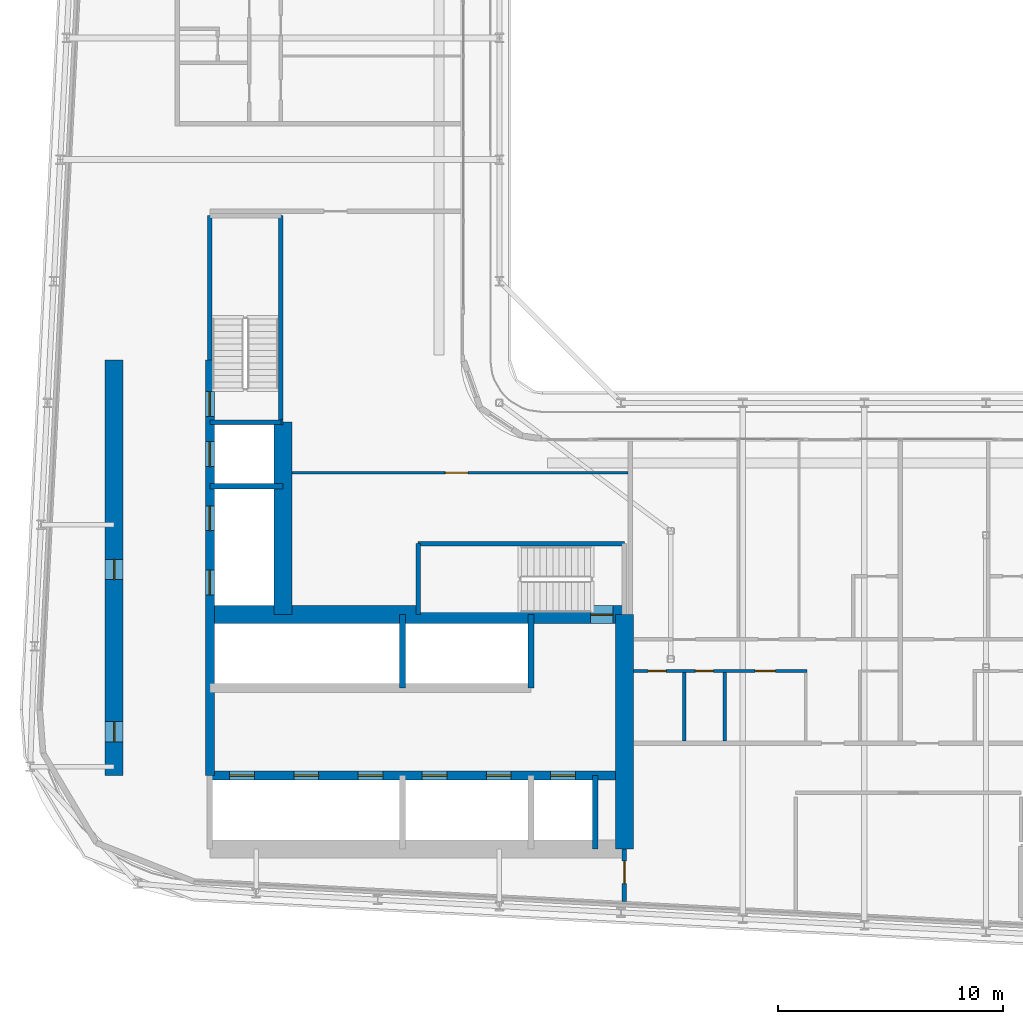
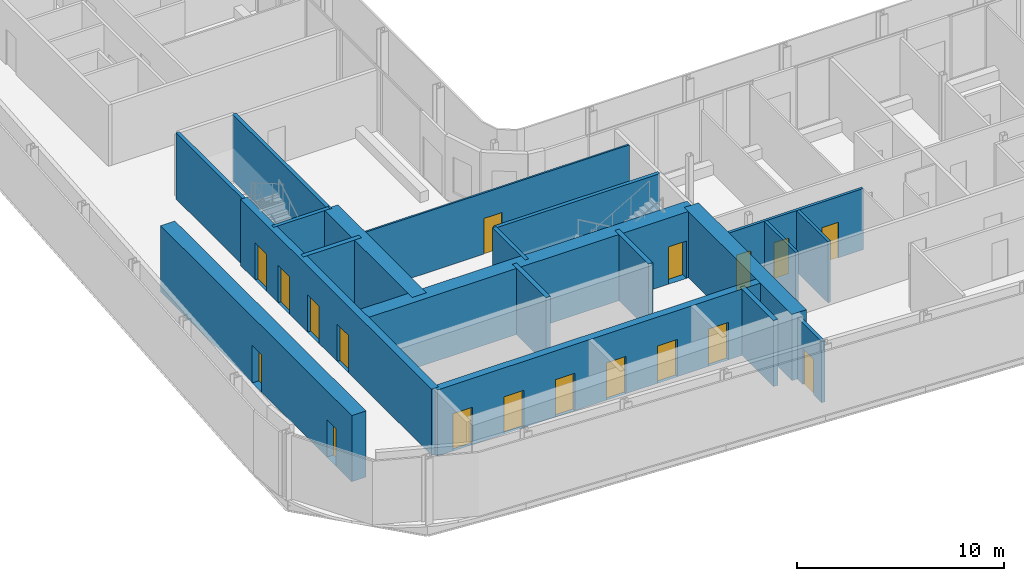
# One storey, part 14 of 28: 21 walls, 18 doors, 18 openings.
"""IFC4 building model written with IfcOpenShell, lengths in metres."""

import ifcopenshell
import ifcopenshell.guid

model = None  # the IFC model being written
_history = None  # IfcOwnerHistory: only IFC2X3 demands one
_inside = {}  # id of a spatial element -> (the spatial element, [elements in it])
_under = {}  # id of a project, library or spatial element -> (it, [spatial elements below it])
_declared = {}  # id of a project -> (the project, [libraries it declares])
_typed = {}  # id of a type object -> (the type object, [elements of that type])
_made_of = {}  # id of a material, layer set ... -> (it, [elements and type objects made of it])


def new_model(schema):
    """Start an empty IFC model of exactly this schema.

    Asked for "IFC4X3", IfcOpenShell would pick the latest addendum, in which some entities
    have other attributes; the version numbers below select the first issue.
    IFC2X3 requires an IfcOwnerHistory on every rooted entity: one is made here for all.
    """
    global model, _history
    if schema == "IFC4X3":
        model = ifcopenshell.file(schema_version=(4, 3, 0, 0))
    else:
        model = ifcopenshell.file(schema=schema)
    _inside.clear()
    _under.clear()
    _declared.clear()
    _typed.clear()
    _made_of.clear()
    _history = None
    if model.schema == "IFC2X3":
        org = make("IfcOrganization", Name="unknown")
        user = make(
            "IfcPersonAndOrganization",
            ThePerson=make("IfcPerson", FamilyName="unknown"),
            TheOrganization=org,
        )
        app = make(
            "IfcApplication",
            ApplicationDeveloper=org,
            Version="unknown",
            ApplicationFullName="unknown",
            ApplicationIdentifier="unknown",
        )
        _history = make(
            "IfcOwnerHistory",
            OwningUser=user,
            OwningApplication=app,
            ChangeAction="ADDED",
            CreationDate=0,
        )
    return model


def make(cls, **values):
    """One entity of the class cls with the attributes given. An attribute that is None is left unset."""
    return model.create_entity(
        cls, **{name: value for name, value in values.items() if value is not None}
    )


def rooted(cls, **values):
    """An entity with a GlobalId (a new one), such as an element, a storey or a relation."""
    return make(cls, GlobalId=ifcopenshell.guid.new(), OwnerHistory=_history, **values)


def si_unit(unit_type, name, prefix=None):
    """IfcSIUnit, for example si_unit("LENGTHUNIT", "METRE", prefix="MILLI")."""
    return make("IfcSIUnit", UnitType=unit_type, Prefix=prefix, Name=name)


def assignment(units):
    """IfcUnitAssignment: the units of a project."""
    return None if units is None else make("IfcUnitAssignment", Units=units)


def point(xyz):
    """IfcCartesianPoint."""
    return None if xyz is None else make("IfcCartesianPoint", Coordinates=xyz)


def direction(xyz):
    """IfcDirection."""
    return None if xyz is None else make("IfcDirection", DirectionRatios=xyz)


def frame(location, z_axis=None, x_axis=None):
    """IfcAxis2Placement3D, a coordinate frame: its origin and axes. An axis left out is left unset."""
    return make(
        "IfcAxis2Placement3D",
        Location=point(location),
        Axis=direction(z_axis),
        RefDirection=direction(x_axis),
    )


def frame_2d(location, x_axis=None):
    """IfcAxis2Placement2D, a coordinate frame in the plane: its origin and x axis."""
    return make(
        "IfcAxis2Placement2D", Location=point(location), RefDirection=direction(x_axis)
    )


def origin():
    """The frame at (0, 0, 0) with its axes left unset."""
    return frame((0.0, 0.0, 0.0))


def place(relative_to, where):
    """IfcLocalPlacement: puts the frame where relative to a parent placement (None: the world)."""
    return make(
        "IfcLocalPlacement", PlacementRelTo=relative_to, RelativePlacement=where
    )


def context(
    kind, dimensions, precision=None, world=None, true_north=None, identifier=None
):
    """IfcGeometricRepresentationContext, for example the 3D "Model" context."""
    return make(
        "IfcGeometricRepresentationContext",
        ContextIdentifier=identifier,
        ContextType=kind,
        CoordinateSpaceDimension=dimensions,
        Precision=precision,
        WorldCoordinateSystem=world,
        TrueNorth=true_north,
    )


def subcontext(parent, identifier, kind, view, scale=None):
    """IfcGeometricRepresentationSubContext, for example "Body" below "Model"."""
    return make(
        "IfcGeometricRepresentationSubContext",
        ContextIdentifier=identifier,
        ContextType=kind,
        ParentContext=parent,
        TargetScale=scale,
        TargetView=view,
    )


def project(units=None, contexts=None):
    """IfcProject with its units and contexts."""
    return rooted(
        "IfcProject",
        Name="project",
        RepresentationContexts=contexts,
        UnitsInContext=assignment(units),
    )


def spatial(cls, under=None, at=None, **own):
    """A site, building, storey or space (cls), placed at a placement, below another one or the project."""
    s = rooted(cls, ObjectPlacement=at, **own)
    if under is not None:
        _under.setdefault(under.id(), (under, []))[1].append(s)
    return s


def profile(cls, at=None, kind="AREA", **sizes):
    """A parametric profile (cls). Its sizes go by their IFC names, for example OverallWidth=200.0."""
    return make(cls, ProfileType=kind, Position=at, **sizes)


def rectangle(**sizes):
    """IfcRectangleProfileDef."""
    return profile("IfcRectangleProfileDef", **sizes)


def extrude(swept, where, along, depth):
    """IfcExtrudedAreaSolid: the profile swept, set in the frame where, extruded along a direction by depth."""
    return make(
        "IfcExtrudedAreaSolid",
        SweptArea=swept,
        Position=where,
        ExtrudedDirection=direction(along),
        Depth=depth,
    )


def shape(context_of_items, identifier, shape_type, items):
    """IfcShapeRepresentation: the items that make up one representation, for example the "Body"."""
    return make(
        "IfcShapeRepresentation",
        ContextOfItems=context_of_items,
        RepresentationIdentifier=identifier,
        RepresentationType=shape_type,
        Items=items,
    )


def source(mapping_origin, context_of_items, identifier, shape_type, items):
    """IfcRepresentationMap: a shape defined once, which mapped items show again and again."""
    return make(
        "IfcRepresentationMap",
        MappingOrigin=mapping_origin,
        MappedRepresentation=shape(context_of_items, identifier, shape_type, items),
    )


def transform(
    local_origin,
    x_axis=None,
    y_axis=None,
    z_axis=None,
    scale=None,
    scale2=None,
    scale3=None,
    uniform=True,
):
    """IfcCartesianTransformationOperator3D, or its non-uniform kind. x_axis, y_axis, z_axis: its Axis1, 2, 3."""
    if uniform:
        return make(
            "IfcCartesianTransformationOperator3D",
            Axis1=direction(x_axis),
            Axis2=direction(y_axis),
            LocalOrigin=point(local_origin),
            Scale=scale,
            Axis3=direction(z_axis),
        )
    return make(
        "IfcCartesianTransformationOperator3DnonUniform",
        Axis1=direction(x_axis),
        Axis2=direction(y_axis),
        LocalOrigin=point(local_origin),
        Scale=scale,
        Axis3=direction(z_axis),
        Scale2=scale2,
        Scale3=scale3,
    )


def mapped(mapping_source, mapping_target):
    """IfcMappedItem: shows the shape of a source again, moved by a transform."""
    return make(
        "IfcMappedItem", MappingSource=mapping_source, MappingTarget=mapping_target
    )


def material(Name=None, Category=None):
    """IfcMaterial."""
    return make("IfcMaterial", Name=Name, Category=Category)


def layer(
    of_material, thickness, ventilated=None, Name=None, Category=None, Priority=None
):
    """IfcMaterialLayer: one layer of a wall or slab, of a material (None: an air gap)."""
    return make(
        "IfcMaterialLayer",
        Material=of_material,
        LayerThickness=thickness,
        IsVentilated=ventilated,
        Name=Name,
        Category=Category,
        Priority=Priority,
    )


def layer_set(layers, Name=None):
    """IfcMaterialLayerSet."""
    return make("IfcMaterialLayerSet", MaterialLayers=layers, LayerSetName=Name)


def made_of(thing, what):
    """Note that an element or type object is made of a material, layer set ...; save() writes the relation."""
    if what is not None:
        _made_of.setdefault(what.id(), (what, []))[1].append(thing)
    return thing


def type_object(cls, material=None, **own):
    """A type object (cls), such as IfcWallType, which elements share."""
    return made_of(rooted(cls, **own), material)


def element(
    cls,
    number,
    at=None,
    inside=None,
    cuts=None,
    type_object=None,
    material=None,
    context=None,
    identifier="Body",
    shape_type=None,
    held_by="IfcProductDefinitionShape",
    body=None,
    shapes=None,
    **own,
):
    """One element of the class cls, such as IfcWall. Its Tag is "e" and its number.

    at: its placement. inside: the storey or other place that contains it. cuts: it is an
    opening in that element (IfcRelVoidsElement). A single representation is given by context,
    identifier, shape_type and body (its items); several are given by shapes. held_by: the class
    of the entity that holds the representations. save() writes the other relations.
    """
    e = rooted(cls, Tag="e%d" % number, ObjectPlacement=at, **own)
    if body is not None:
        shapes = [shape(context, identifier, shape_type, body)]
    if shapes is not None:
        e.Representation = make(held_by, Representations=shapes)
    if inside is not None:
        _inside.setdefault(inside.id(), (inside, []))[1].append(e)
    if cuts is not None:
        rooted(
            "IfcRelVoidsElement", RelatingBuildingElement=cuts, RelatedOpeningElement=e
        )
    if type_object is not None:
        _typed.setdefault(type_object.id(), (type_object, []))[1].append(e)
    return made_of(e, material)


def fill(opening, filler):
    """IfcRelFillsElement: the door or window that sits in an opening."""
    return rooted(
        "IfcRelFillsElement",
        RelatingOpeningElement=opening,
        RelatedBuildingElement=filler,
    )


def aggregate(whole, parts):
    """IfcRelAggregates: a whole, such as a stair, and the parts it consists of."""
    return rooted("IfcRelAggregates", RelatingObject=whole, RelatedObjects=parts)


def save(model, path):
    """Write the relations noted so far, then the file.

    IfcRelAggregates (storeys below a building ...), IfcRelContainedInSpatialStructure (elements
    in a storey), IfcRelDefinesByType, IfcRelAssociatesMaterial and IfcRelDeclares: one each for
    every whole, place, type object, material and project.
    """
    for whole, parts in _under.values():
        aggregate(whole, parts)
    for where, things in _inside.values():
        rooted(
            "IfcRelContainedInSpatialStructure",
            RelatedElements=things,
            RelatingStructure=where,
        )
    for kind, things in _typed.values():
        rooted("IfcRelDefinesByType", RelatedObjects=things, RelatingType=kind)
    for what, things in _made_of.values():
        rooted("IfcRelAssociatesMaterial", RelatedObjects=things, RelatingMaterial=what)
    for by, libraries in _declared.values():
        rooted("IfcRelDeclares", RelatingContext=by, RelatedDefinitions=libraries)
    model.write(path)


model = new_model("IFC4")

# Units and contexts
model_context = context("Model", 3, precision=1e-05, world=origin(), true_north=direction((0.0, 1.0)))
body_context = subcontext(model_context, "Body", "Model", "MODEL_VIEW")
ifc_project = project(units=[si_unit("LENGTHUNIT", "METRE"), si_unit("AREAUNIT", "SQUARE_METRE"), si_unit("VOLUMEUNIT", "CUBIC_METRE"), si_unit("PLANEANGLEUNIT", "RADIAN"), si_unit("MASSUNIT", "GRAM", prefix="KILO")], contexts=[model_context])

# Site, building, storey
site_placement = place(None, origin())
site = spatial("IfcSite", under=ifc_project, at=site_placement, CompositionType="ELEMENT")
building_placement = place(site_placement, origin())
building = spatial("IfcBuilding", under=site, at=building_placement, Name="Kheshtan School and Residences Tower", CompositionType="ELEMENT")
storey_placement = place(building_placement, frame((0.0, 0.0, 191.60009765625)))
storey = spatial("IfcBuildingStorey", under=building, at=storey_placement, Name="L45", CompositionType="ELEMENT", Elevation=191.60009765625)

# Wall, openings, doors
ifc_material_1 = material(Name="Concrete C50/60", Category="concrete")
ifc_layer_1 = layer(ifc_material_1, 0.39990234375)
ifc_layer_set_1 = layer_set([ifc_layer_1], Name="Core wall 400 Concrete C50/60")
wall_type_1 = type_object("IfcWallType", Name="Core wall 400 Concrete C50/60", PredefinedType="SHEAR", material=ifc_layer_set_1)
wall_1_placement = place(storey_placement, frame((34.75, 29.050048828125, 0.0), z_axis=(0.0, 0.0, 1.0), x_axis=(1.0, 0.0, 0.0)))
wall_1 = element("IfcWall", 1, at=wall_1_placement, inside=storey, type_object=wall_type_1, Name="Core wall CW-HALL-S1", PredefinedType="SHEAR", context=body_context, shape_type="SweptSolid", body=[
    extrude(rectangle(XDim=18.39990234375, YDim=0.39990234375, at=frame_2d((9.199951171875, 0.0))), origin(), (0.0, 0.0, 1.0), 3.89990234375),
])
opening_1_placement = place(wall_1_placement, frame((0.875, 0.0, 0.0)))
opening_1 = element("IfcOpeningElement", 2, at=opening_1_placement, cuts=wall_1, Name="Opening LD", PredefinedType="OPENING", context=body_context, shape_type="SweptSolid", body=[
    extrude(rectangle(XDim=1.10009765625, YDim=2.199951171875, at=frame_2d((0.550048828125, 1.10009765625))), frame((0.0, 0.2099609375, 0.0), z_axis=(0.0, -1.0, 0.0), x_axis=(1.0, 0.0, 0.0)), (0.0, 0.0, 1.0), 0.419921875),
])
opening_2_placement = place(wall_1_placement, frame((3.72509765625, 0.0, 0.0)))
opening_2 = element("IfcOpeningElement", 3, at=opening_2_placement, cuts=wall_1, Name="Opening LD", PredefinedType="OPENING", context=body_context, shape_type="SweptSolid", body=[
    extrude(rectangle(XDim=1.10009765625, YDim=2.199951171875, at=frame_2d((0.550048828125, 1.10009765625))), frame((0.0, 0.2099609375, 0.0), z_axis=(0.0, -1.0, 0.0), x_axis=(1.0, 0.0, 0.0)), (0.0, 0.0, 1.0), 0.419921875),
])
opening_3_placement = place(wall_1_placement, frame((6.574951171875, 0.0, 0.0)))
opening_3 = element("IfcOpeningElement", 4, at=opening_3_placement, cuts=wall_1, Name="Opening LD", PredefinedType="OPENING", context=body_context, shape_type="SweptSolid", body=[
    extrude(rectangle(XDim=1.10009765625, YDim=2.199951171875, at=frame_2d((0.550048828125, 1.10009765625))), frame((0.0, 0.2099609375, 0.0), z_axis=(0.0, -1.0, 0.0), x_axis=(1.0, 0.0, 0.0)), (0.0, 0.0, 1.0), 0.419921875),
])
opening_4_placement = place(wall_1_placement, frame((9.425048828125, 0.0, 0.0)))
opening_4 = element("IfcOpeningElement", 5, at=opening_4_placement, cuts=wall_1, Name="Opening LD", PredefinedType="OPENING", context=body_context, shape_type="SweptSolid", body=[
    extrude(rectangle(XDim=1.10009765625, YDim=2.199951171875, at=frame_2d((0.550048828125, 1.10009765625))), frame((0.0, 0.2099609375, 0.0), z_axis=(0.0, -1.0, 0.0), x_axis=(1.0, 0.0, 0.0)), (0.0, 0.0, 1.0), 0.419921875),
])
opening_5_placement = place(wall_1_placement, frame((12.27490234375, 0.0, 0.0)))
opening_5 = element("IfcOpeningElement", 6, at=opening_5_placement, cuts=wall_1, Name="Opening LD", PredefinedType="OPENING", context=body_context, shape_type="SweptSolid", body=[
    extrude(rectangle(XDim=1.10009765625, YDim=2.199951171875, at=frame_2d((0.550048828125, 1.10009765625))), frame((0.0, 0.2099609375, 0.0), z_axis=(0.0, -1.0, 0.0), x_axis=(1.0, 0.0, 0.0)), (0.0, 0.0, 1.0), 0.419921875),
])
opening_6_placement = place(wall_1_placement, frame((15.125, 0.0, 0.0)))
opening_6 = element("IfcOpeningElement", 7, at=opening_6_placement, cuts=wall_1, Name="Opening LD", PredefinedType="OPENING", context=body_context, shape_type="SweptSolid", body=[
    extrude(rectangle(XDim=1.10009765625, YDim=2.199951171875, at=frame_2d((0.550048828125, 1.10009765625))), frame((0.0, 0.2099609375, 0.0), z_axis=(0.0, -1.0, 0.0), x_axis=(1.0, 0.0, 0.0)), (0.0, 0.0, 1.0), 0.419921875),
])
ifc_material_2 = material(Name="Stainless steel door leaves", Category="steel")
door_type_1 = type_object("IfcDoorType", Name="Lift landing door 1100", OperationType="SLIDING_TO_LEFT", PredefinedType="DOOR", material=ifc_material_2)
shared_shape_1 = source(origin(), body_context, "Body", "SweptSolid", [
    extrude(rectangle(XDim=1.10009765625, YDim=2.199951171875, at=frame_2d((0.550048828125, 1.10009765625))), frame((0.0, 0.02490234375, 0.0), z_axis=(0.0, -1.0, 0.0), x_axis=(1.0, 0.0, 0.0)), (0.0, 0.0, 1.0), 0.050048828125),
])
door_1_placement = place(opening_1_placement, origin())
door_1 = element("IfcDoor", 8, at=door_1_placement, inside=storey, type_object=door_type_1, Name="Lift P7 landing door", OperationType="SLIDING_TO_LEFT", OverallHeight=2.199951171875, OverallWidth=1.10009765625, PredefinedType="DOOR", context=body_context, shape_type="MappedRepresentation", body=[
    mapped(shared_shape_1, transform((0.0, 0.0, 0.0), x_axis=(1.0, 0.0, 0.0), y_axis=(0.0, 1.0, 0.0), z_axis=(0.0, 0.0, 1.0), scale=1.0)),
])
fill(opening_1, door_1)
door_2_placement = place(opening_2_placement, origin())
door_2 = element("IfcDoor", 9, at=door_2_placement, inside=storey, type_object=door_type_1, Name="Lift P8 landing door", OperationType="SLIDING_TO_LEFT", OverallHeight=2.199951171875, OverallWidth=1.10009765625, PredefinedType="DOOR", context=body_context, shape_type="MappedRepresentation", body=[
    mapped(shared_shape_1, transform((0.0, 0.0, 0.0), x_axis=(1.0, 0.0, 0.0), y_axis=(0.0, 1.0, 0.0), z_axis=(0.0, 0.0, 1.0), scale=1.0)),
])
fill(opening_2, door_2)
door_3_placement = place(opening_3_placement, origin())
door_3 = element("IfcDoor", 10, at=door_3_placement, inside=storey, type_object=door_type_1, Name="Lift P9 landing door", OperationType="SLIDING_TO_LEFT", OverallHeight=2.199951171875, OverallWidth=1.10009765625, PredefinedType="DOOR", context=body_context, shape_type="MappedRepresentation", body=[
    mapped(shared_shape_1, transform((0.0, 0.0, 0.0), x_axis=(1.0, 0.0, 0.0), y_axis=(0.0, 1.0, 0.0), z_axis=(0.0, 0.0, 1.0), scale=1.0)),
])
fill(opening_3, door_3)
door_4_placement = place(opening_4_placement, origin())
door_4 = element("IfcDoor", 11, at=door_4_placement, inside=storey, type_object=door_type_1, Name="Lift P10 landing door", OperationType="SLIDING_TO_LEFT", OverallHeight=2.199951171875, OverallWidth=1.10009765625, PredefinedType="DOOR", context=body_context, shape_type="MappedRepresentation", body=[
    mapped(shared_shape_1, transform((0.0, 0.0, 0.0), x_axis=(1.0, 0.0, 0.0), y_axis=(0.0, 1.0, 0.0), z_axis=(0.0, 0.0, 1.0), scale=1.0)),
])
fill(opening_4, door_4)
door_5_placement = place(opening_5_placement, origin())
door_5 = element("IfcDoor", 12, at=door_5_placement, inside=storey, type_object=door_type_1, Name="Lift P11 landing door", OperationType="SLIDING_TO_LEFT", OverallHeight=2.199951171875, OverallWidth=1.10009765625, PredefinedType="DOOR", context=body_context, shape_type="MappedRepresentation", body=[
    mapped(shared_shape_1, transform((0.0, 0.0, 0.0), x_axis=(1.0, 0.0, 0.0), y_axis=(0.0, 1.0, 0.0), z_axis=(0.0, 0.0, 1.0), scale=1.0)),
])
fill(opening_5, door_5)
door_6_placement = place(opening_6_placement, origin())
door_6 = element("IfcDoor", 13, at=door_6_placement, inside=storey, type_object=door_type_1, Name="Lift FFL2 landing door", OperationType="SLIDING_TO_LEFT", OverallHeight=2.199951171875, OverallWidth=1.10009765625, PredefinedType="DOOR", context=body_context, shape_type="MappedRepresentation", body=[
    mapped(shared_shape_1, transform((0.0, 0.0, 0.0), x_axis=(1.0, 0.0, 0.0), y_axis=(0.0, 1.0, 0.0), z_axis=(0.0, 0.0, 1.0), scale=1.0)),
])
fill(opening_6, door_6)

wall_2_placement = place(storey_placement, frame((34.75, 29.050048828125, 0.0), z_axis=(0.0, 0.0, 1.0), x_axis=(0.0, 1.0, 0.0)))
wall_2 = element("IfcWall", 14, at=wall_2_placement, inside=storey, type_object=wall_type_1, Name="Core wall CW-HALL-W1", PredefinedType="SHEAR", context=body_context, shape_type="SweptSolid", body=[
    extrude(rectangle(XDim=18.449951171875, YDim=0.39990234375, at=frame_2d((9.22509765625, 0.0))), origin(), (0.0, 0.0, 1.0), 3.89990234375),
])
opening_7_placement = place(wall_2_placement, frame((8.02490234375, 0.0, 0.0)))
opening_7 = element("IfcOpeningElement", 15, at=opening_7_placement, cuts=wall_2, Name="Opening LD", PredefinedType="OPENING", context=body_context, shape_type="SweptSolid", body=[
    extrude(rectangle(XDim=1.10009765625, YDim=2.199951171875, at=frame_2d((0.550048828125, 1.10009765625))), frame((0.0, 0.2099609375, 0.0), z_axis=(0.0, -1.0, 0.0), x_axis=(1.0, 0.0, 0.0)), (0.0, 0.0, 1.0), 0.419921875),
])
opening_8_placement = place(wall_2_placement, frame((10.875, 0.0, 0.0)))
opening_8 = element("IfcOpeningElement", 16, at=opening_8_placement, cuts=wall_2, Name="Opening LD", PredefinedType="OPENING", context=body_context, shape_type="SweptSolid", body=[
    extrude(rectangle(XDim=1.10009765625, YDim=2.199951171875, at=frame_2d((0.550048828125, 1.10009765625))), frame((0.0, 0.2099609375, 0.0), z_axis=(0.0, -1.0, 0.0), x_axis=(1.0, 0.0, 0.0)), (0.0, 0.0, 1.0), 0.419921875),
])
opening_9_placement = place(wall_2_placement, frame((13.72509765625, 0.0, 0.0)))
opening_9 = element("IfcOpeningElement", 17, at=opening_9_placement, cuts=wall_2, Name="Opening LD", PredefinedType="OPENING", context=body_context, shape_type="SweptSolid", body=[
    extrude(rectangle(XDim=1.10009765625, YDim=2.199951171875, at=frame_2d((0.550048828125, 1.10009765625))), frame((0.0, 0.2099609375, 0.0), z_axis=(0.0, -1.0, 0.0), x_axis=(1.0, 0.0, 0.0)), (0.0, 0.0, 1.0), 0.419921875),
])
opening_10_placement = place(wall_2_placement, frame((15.949951171875, 0.0, 0.0)))
opening_10 = element("IfcOpeningElement", 18, at=opening_10_placement, cuts=wall_2, Name="Opening ST2D", PredefinedType="OPENING", context=body_context, shape_type="SweptSolid", body=[
    extrude(rectangle(XDim=1.10009765625, YDim=2.199951171875, at=frame_2d((0.550048828125, 1.10009765625))), frame((0.0, 0.2099609375, 0.0), z_axis=(0.0, -1.0, 0.0), x_axis=(1.0, 0.0, 0.0)), (0.0, 0.0, 1.0), 0.419921875),
])
door_7_placement = place(opening_7_placement, origin())
door_7 = element("IfcDoor", 19, at=door_7_placement, inside=storey, type_object=door_type_1, Name="Lift SV1 landing door", OperationType="SLIDING_TO_LEFT", OverallHeight=2.199951171875, OverallWidth=1.10009765625, PredefinedType="DOOR", context=body_context, shape_type="MappedRepresentation", body=[
    mapped(shared_shape_1, transform((0.0, 0.0, 0.0), x_axis=(1.0, 0.0, 0.0), y_axis=(0.0, 1.0, 0.0), z_axis=(0.0, 0.0, 1.0), scale=1.0)),
])
fill(opening_7, door_7)
door_8_placement = place(opening_8_placement, origin())
door_8 = element("IfcDoor", 20, at=door_8_placement, inside=storey, type_object=door_type_1, Name="Lift SV2 landing door", OperationType="SLIDING_TO_LEFT", OverallHeight=2.199951171875, OverallWidth=1.10009765625, PredefinedType="DOOR", context=body_context, shape_type="MappedRepresentation", body=[
    mapped(shared_shape_1, transform((0.0, 0.0, 0.0), x_axis=(1.0, 0.0, 0.0), y_axis=(0.0, 1.0, 0.0), z_axis=(0.0, 0.0, 1.0), scale=1.0)),
])
fill(opening_8, door_8)
door_9_placement = place(opening_9_placement, origin())
door_9 = element("IfcDoor", 21, at=door_9_placement, inside=storey, type_object=door_type_1, Name="Lift FFL1 landing door", OperationType="SLIDING_TO_LEFT", OverallHeight=2.199951171875, OverallWidth=1.10009765625, PredefinedType="DOOR", context=body_context, shape_type="MappedRepresentation", body=[
    mapped(shared_shape_1, transform((0.0, 0.0, 0.0), x_axis=(1.0, 0.0, 0.0), y_axis=(0.0, 1.0, 0.0), z_axis=(0.0, 0.0, 1.0), scale=1.0)),
])
fill(opening_9, door_9)
ifc_material_3 = material(Name="Steel door leaf, galvanised", Category="steel")
door_type_2 = type_object("IfcDoorType", Name="Stair door 1100 steel 90 min", OperationType="SINGLE_SWING_LEFT", PredefinedType="DOOR", material=ifc_material_3)
shared_shape_2 = source(origin(), body_context, "Body", "SweptSolid", [
    extrude(rectangle(XDim=1.10009765625, YDim=2.199951171875, at=frame_2d((0.550048828125, 1.10009765625))), frame((0.0, 0.02490234375, 0.0), z_axis=(0.0, -1.0, 0.0), x_axis=(1.0, 0.0, 0.0)), (0.0, 0.0, 1.0), 0.050048828125),
])
door_10_placement = place(opening_10_placement, origin())
door_10 = element("IfcDoor", 22, at=door_10_placement, inside=storey, type_object=door_type_2, Name="Stair ST2 door", OperationType="SINGLE_SWING_RIGHT", OverallHeight=2.199951171875, OverallWidth=1.10009765625, PredefinedType="DOOR", context=body_context, shape_type="MappedRepresentation", body=[
    mapped(shared_shape_2, transform((0.0, 0.0, 0.0), x_axis=(1.0, 0.0, 0.0), y_axis=(0.0, 1.0, 0.0), z_axis=(0.0, 0.0, 1.0), scale=1.0)),
])
fill(opening_10, door_10)

# Wall, opening, door
ifc_material_4 = material(Name="Concrete C70/85", Category="concrete")
ifc_layer_2 = layer(ifc_material_4, 0.800048828125)
ifc_layer_set_2 = layer_set([ifc_layer_2], Name="Core wall 800 Concrete C70/85")
wall_type_2 = type_object("IfcWallType", Name="Core wall 800 Concrete C70/85", PredefinedType="SHEAR", material=ifc_layer_set_2)
wall_3_placement = place(storey_placement, frame((34.75, 36.199951171875, 0.0), z_axis=(0.0, 0.0, 1.0), x_axis=(1.0, 0.0, 0.0)))
wall_3 = element("IfcWall", 23, at=wall_3_placement, inside=storey, type_object=wall_type_2, Name="Core wall CW-FRONT-S", PredefinedType="SHEAR", context=body_context, shape_type="SweptSolid", body=[
    extrude(rectangle(XDim=18.39990234375, YDim=0.800048828125, at=frame_2d((9.199951171875, 0.0))), origin(), (0.0, 0.0, 1.0), 3.89990234375),
])
opening_11_placement = place(wall_3_placement, frame((16.89990234375, 0.0, 0.0)))
opening_11 = element("IfcOpeningElement", 24, at=opening_11_placement, cuts=wall_3, Name="Opening ST1D", PredefinedType="OPENING", context=body_context, shape_type="SweptSolid", body=[
    extrude(rectangle(XDim=1.0, YDim=2.199951171875, at=frame_2d((0.5, 1.10009765625))), frame((0.0, 0.41015625, 0.0), z_axis=(0.0, -1.0, 0.0), x_axis=(1.0, 0.0, 0.0)), (0.0, 0.0, 1.0), 0.820068359375),
])
shared_shape_3 = source(origin(), body_context, "Body", "SweptSolid", [
    extrude(rectangle(XDim=1.0, YDim=2.199951171875, at=frame_2d((0.5, 1.10009765625))), frame((0.0, 0.02490234375, 0.0), z_axis=(0.0, -1.0, 0.0), x_axis=(1.0, 0.0, 0.0)), (0.0, 0.0, 1.0), 0.050048828125),
])
door_11_placement = place(opening_11_placement, origin())
door_11 = element("IfcDoor", 25, at=door_11_placement, inside=storey, type_object=door_type_2, Name="Stair ST1 door", OperationType="SINGLE_SWING_RIGHT", OverallHeight=2.199951171875, OverallWidth=1.0, PredefinedType="DOOR", context=body_context, shape_type="MappedRepresentation", body=[
    mapped(shared_shape_3, transform((0.0, 0.0, 0.0), x_axis=(1.0, 0.0, 0.0), y_axis=(0.0, 1.0, 0.0), z_axis=(0.0, 0.0, 1.0), scale=1.0)),
])
fill(opening_11, door_11)

# Wall
wall_4_placement = place(storey_placement, frame((38.0, 36.199951171875, 0.0), z_axis=(0.0, 0.0, 1.0), x_axis=(0.0, 1.0, 0.0)))
element("IfcWall", 26, at=wall_4_placement, inside=storey, type_object=wall_type_2, Name="Core wall CW-FRONT-W", PredefinedType="SHEAR", context=body_context, shape_type="SweptSolid", body=[
    extrude(rectangle(XDim=8.550048828125, YDim=0.800048828125, at=frame_2d((4.27490234375, 0.0))), origin(), (0.0, 0.0, 1.0), 3.89990234375),
])

# Wall, openings, doors
wall_5_placement = place(storey_placement, frame((30.5, 29.050048828125, 0.0), z_axis=(0.0, 0.0, 1.0), x_axis=(0.0, 1.0, 0.0)))
wall_5 = element("IfcWall", 27, at=wall_5_placement, inside=storey, type_object=wall_type_2, Name="Core wall CW-REAR-W", PredefinedType="SHEAR", context=body_context, shape_type="SweptSolid", body=[
    extrude(rectangle(XDim=18.449951171875, YDim=0.800048828125, at=frame_2d((9.22509765625, 0.0))), origin(), (0.0, 0.0, 1.0), 3.89990234375),
])
opening_12_placement = place(wall_5_placement, frame((1.5, 0.0, 0.0)))
opening_12 = element("IfcOpeningElement", 28, at=opening_12_placement, cuts=wall_5, Name="Opening SR90", PredefinedType="OPENING", context=body_context, shape_type="SweptSolid", body=[
    extrude(rectangle(XDim=0.89990234375, YDim=2.199951171875, at=frame_2d((0.449951171875, 1.10009765625))), frame((0.0, 0.41015625, 0.0), z_axis=(0.0, -1.0, 0.0), x_axis=(1.0, 0.0, 0.0)), (0.0, 0.0, 1.0), 0.820068359375),
])
opening_13_placement = place(wall_5_placement, frame((8.705078125, 0.0, 0.0)))
opening_13 = element("IfcOpeningElement", 29, at=opening_13_placement, cuts=wall_5, Name="Opening SR90", PredefinedType="OPENING", context=body_context, shape_type="SweptSolid", body=[
    extrude(rectangle(XDim=0.89990234375, YDim=2.199951171875, at=frame_2d((0.449951171875, 1.10009765625))), frame((0.0, 0.41015625, 0.0), z_axis=(0.0, -1.0, 0.0), x_axis=(1.0, 0.0, 0.0)), (0.0, 0.0, 1.0), 0.820068359375),
])
door_type_3 = type_object("IfcDoorType", Name="Service room door 900 steel 90 min", OperationType="SINGLE_SWING_LEFT", PredefinedType="DOOR", material=ifc_material_3)
shared_shape_4 = source(origin(), body_context, "Body", "SweptSolid", [
    extrude(rectangle(XDim=0.89990234375, YDim=2.199951171875, at=frame_2d((0.449951171875, 1.10009765625))), frame((0.0, 0.02490234375, 0.0), z_axis=(0.0, -1.0, 0.0), x_axis=(1.0, 0.0, 0.0)), (0.0, 0.0, 1.0), 0.050048828125),
])
door_12_placement = place(opening_12_placement, origin())
door_12 = element("IfcDoor", 30, at=door_12_placement, inside=storey, type_object=door_type_3, Name="Service room door", OperationType="SINGLE_SWING_LEFT", OverallHeight=2.199951171875, OverallWidth=0.89990234375, PredefinedType="DOOR", context=body_context, shape_type="MappedRepresentation", body=[
    mapped(shared_shape_4, transform((0.0, 0.0, 0.0), x_axis=(1.0, 0.0, 0.0), y_axis=(0.0, 1.0, 0.0), z_axis=(0.0, 0.0, 1.0), scale=1.0)),
])
fill(opening_12, door_12)
door_13_placement = place(opening_13_placement, origin())
door_13 = element("IfcDoor", 31, at=door_13_placement, inside=storey, type_object=door_type_3, Name="Service room door", OperationType="SINGLE_SWING_LEFT", OverallHeight=2.199951171875, OverallWidth=0.89990234375, PredefinedType="DOOR", context=body_context, shape_type="MappedRepresentation", body=[
    mapped(shared_shape_4, transform((0.0, 0.0, 0.0), x_axis=(1.0, 0.0, 0.0), y_axis=(0.0, 1.0, 0.0), z_axis=(0.0, 0.0, 1.0), scale=1.0)),
])
fill(opening_13, door_13)

# Wall
wall_6_placement = place(storey_placement, frame((53.14990234375, 25.800048828125, 0.0), z_axis=(0.0, 0.0, 1.0), x_axis=(0.0, 1.0, 0.0)))
element("IfcWall", 32, at=wall_6_placement, inside=storey, type_object=wall_type_2, Name="Core wall CW-EAST", PredefinedType="SHEAR", context=body_context, shape_type="SweptSolid", body=[
    extrude(rectangle(XDim=10.39990234375, YDim=0.800048828125, at=frame_2d((5.199951171875, 0.0))), origin(), (0.0, 0.0, 1.0), 3.89990234375),
])

# Wall, opening, door
ifc_material_5 = material(Name="Gypsum board on steel studs with fire boards", Category="steel")
ifc_layer_3 = layer(ifc_material_5, 0.199951171875)
ifc_layer_set_3 = layer_set([ifc_layer_3], Name="Corridor wall 200")
wall_type_3 = type_object("IfcWallType", Name="Corridor wall 200", PredefinedType="PARTITIONING", material=ifc_layer_set_3)
wall_7_placement = place(storey_placement, frame((53.14990234375, 23.47216796875, 0.0), z_axis=(0.0, 0.0, 1.0), x_axis=(0.0, 1.0, 0.0)))
wall_7 = element("IfcWall", 33, at=wall_7_placement, inside=storey, type_object=wall_type_3, Name="Partition L45-033", PredefinedType="PARTITIONING", context=body_context, shape_type="SweptSolid", body=[
    extrude(rectangle(XDim=2.327880859375, YDim=0.199951171875, at=frame_2d((1.1640625, 0.0))), origin(), (0.0, 0.0, 1.0), 3.599853515625),
])
opening_14_placement = place(wall_7_placement, frame((0.784912109375, 0.0, 0.0)))
opening_14 = element("IfcOpeningElement", 34, at=opening_14_placement, cuts=wall_7, Name="Opening D43-054", PredefinedType="OPENING", context=body_context, shape_type="SweptSolid", body=[
    extrude(rectangle(XDim=1.0, YDim=2.10009765625, at=frame_2d((0.5, 1.050048828125))), frame((0.0, 0.10986328125, 0.0), z_axis=(0.0, -1.0, 0.0), x_axis=(1.0, 0.0, 0.0)), (0.0, 0.0, 1.0), 0.219970703125),
])
ifc_material_6 = material(Name="Steel-framed fire-resisting door leaf", Category="steel")
door_type_4 = type_object("IfcDoorType", Name="Fire door FD60 1000 x 2100", OperationType="SINGLE_SWING_LEFT", PredefinedType="DOOR", material=ifc_material_6)
shared_shape_5 = source(origin(), body_context, "Body", "SweptSolid", [
    extrude(rectangle(XDim=1.0, YDim=2.10009765625, at=frame_2d((0.5, 1.050048828125))), frame((0.0, 0.02490234375, 0.0), z_axis=(0.0, -1.0, 0.0), x_axis=(1.0, 0.0, 0.0)), (0.0, 0.0, 1.0), 0.050048828125),
])
door_14_placement = place(opening_14_placement, origin())
door_14 = element("IfcDoor", 35, at=door_14_placement, inside=storey, type_object=door_type_4, Name="Door D43-054", OperationType="SINGLE_SWING_RIGHT", OverallHeight=2.10009765625, OverallWidth=1.0, PredefinedType="DOOR", context=body_context, shape_type="MappedRepresentation", body=[
    mapped(shared_shape_5, transform((0.0, 0.0, 0.0), x_axis=(1.0, 0.0, 0.0), y_axis=(0.0, 1.0, 0.0), z_axis=(0.0, 0.0, 1.0), scale=1.0)),
])
fill(opening_14, door_14)

ifc_material_7 = material(Name="Gypsum board on steel studs", Category="steel")
ifc_layer_4 = layer(ifc_material_7, 0.10009765625)
ifc_layer_set_4 = layer_set([ifc_layer_4], Name="Gypsum partition 100")
wall_type_4 = type_object("IfcWallType", Name="Gypsum partition 100", PredefinedType="PARTITIONING", material=ifc_layer_set_4)
wall_8_placement = place(storey_placement, frame((38.39892578125, 42.5, 0.0), z_axis=(0.0, 0.0, 1.0), x_axis=(1.0, 0.0, 0.0)))
wall_8 = element("IfcWall", 36, at=wall_8_placement, inside=storey, type_object=wall_type_4, Name="Partition L45-031", PredefinedType="PARTITIONING", context=body_context, shape_type="SweptSolid", body=[
    extrude(rectangle(XDim=14.901123046875, YDim=0.10009765625, at=frame_2d((7.45068359375, 0.0))), origin(), (0.0, 0.0, 1.0), 3.599853515625),
])
opening_15_placement = place(wall_8_placement, frame((6.801025390625, 0.0, 0.0)))
opening_15 = element("IfcOpeningElement", 37, at=opening_15_placement, cuts=wall_8, Name="Opening D43-053", PredefinedType="OPENING", context=body_context, shape_type="SweptSolid", body=[
    extrude(rectangle(XDim=1.0, YDim=2.10009765625, at=frame_2d((0.5, 1.050048828125))), frame((0.0, 0.06005859375, 0.0), z_axis=(0.0, -1.0, 0.0), x_axis=(1.0, 0.0, 0.0)), (0.0, 0.0, 1.0), 0.1201171875),
])
ifc_material_8 = material(Name="Veneered timber door leaf", Category="wood")
door_type_5 = type_object("IfcDoorType", Name="Door 1000 x 2100", OperationType="SINGLE_SWING_LEFT", PredefinedType="DOOR", material=ifc_material_8)
shared_shape_6 = source(origin(), body_context, "Body", "SweptSolid", [
    extrude(rectangle(XDim=1.0, YDim=2.10009765625, at=frame_2d((0.5, 1.050048828125))), frame((0.0, 0.02490234375, 0.0), z_axis=(0.0, -1.0, 0.0), x_axis=(1.0, 0.0, 0.0)), (0.0, 0.0, 1.0), 0.050048828125),
])
door_15_placement = place(opening_15_placement, origin())
door_15 = element("IfcDoor", 38, at=door_15_placement, inside=storey, type_object=door_type_5, Name="Door D43-053", OperationType="SINGLE_SWING_LEFT", OverallHeight=2.10009765625, OverallWidth=1.0, PredefinedType="DOOR", context=body_context, shape_type="MappedRepresentation", body=[
    mapped(shared_shape_6, transform((0.0, 0.0, 0.0), x_axis=(1.0, 0.0, 0.0), y_axis=(0.0, 1.0, 0.0), z_axis=(0.0, 0.0, 1.0), scale=1.0)),
])
fill(opening_15, door_15)

# Walls
ifc_material_9 = material(Name="Fire-board shaft wall system")
ifc_layer_5 = layer(ifc_material_9, 0.25)
ifc_layer_set_5 = layer_set([ifc_layer_5], Name="Shaft lining wall 250")
wall_type_5 = type_object("IfcWallType", Name="Shaft lining wall 250", PredefinedType="PARTITIONING", material=ifc_layer_set_5)
for number, where, z_axis, x_axis, name in (
    (39, (43.300048828125, 32.949951171875, 0.0), (0.0, 0.0, 1.0), (0.0, 1.0, 0.0), "Shaft lining wall"),
    (40, (49.0, 32.949951171875, 0.0), (0.0, 0.0, 1.0), (0.0, 1.0, 0.0), "Shaft lining wall"),
    (41, (51.85009765625, 25.800048828125, 0.0), (0.0, 0.0, 1.0), (0.0, 1.0, 0.0), "Shaft lining wall"),
    (42, (34.75, 41.89990234375, 0.0), (0.0, 0.0, 1.0), (1.0, 0.0, 0.0), "Shaft lining wall"),
):
    element("IfcWall", number, at=place(storey_placement, frame(where, z_axis=z_axis, x_axis=x_axis)), inside=storey, type_object=wall_type_5, Name=name, PredefinedType="PARTITIONING", context=body_context, shape_type="SweptSolid", body=[
        extrude(rectangle(XDim=3.25, YDim=0.25, at=frame_2d((1.625, 0.0))), origin(), (0.0, 0.0, 1.0), 3.89990234375),
    ])
wall_9_placement = place(storey_placement, frame((37.89990234375, 44.75, 0.0), z_axis=(0.0, 0.0, 1.0), x_axis=(1.0, 0.0, 0.0)))
element("IfcWall", 43, at=wall_9_placement, inside=storey, type_object=wall_type_5, Name="Shaft lining wall", PredefinedType="PARTITIONING", context=body_context, shape_type="SweptSolid", body=[
    extrude(rectangle(XDim=0.10009765625, YDim=0.25, at=frame_2d((0.050048828125, 0.0))), origin(), (0.0, 0.0, 1.0), 3.89990234375),
])
ifc_material_10 = material(Name="Concrete C40/50", Category="concrete")
ifc_layer_6 = layer(ifc_material_10, 0.199951171875)
ifc_layer_set_6 = layer_set([ifc_layer_6], Name="Stair enclosure wall 200 Concrete C40/50")
wall_type_6 = type_object("IfcWallType", Name="Stair enclosure wall 200 Concrete C40/50", PredefinedType="SHEAR", material=ifc_layer_set_6)
wall_10_placement = place(storey_placement, frame((43.989990234375, 39.35009765625, 0.0), z_axis=(0.0, 0.0, 1.0), x_axis=(1.0, 0.0, 0.0)))
element("IfcWall", 44, at=wall_10_placement, inside=storey, type_object=wall_type_6, Name="Stair enclosure wall ST1", PredefinedType="SHEAR", context=body_context, shape_type="SweptSolid", body=[
    extrude(rectangle(XDim=9.159912109375, YDim=0.199951171875, at=frame_2d((4.580078125, 0.0))), origin(), (0.0, 0.0, 1.0), 3.89990234375),
])
wall_11_placement = place(storey_placement, frame((43.989990234375, 36.199951171875, 0.0), z_axis=(0.0, 0.0, 1.0), x_axis=(0.0, 1.0, 0.0)))
element("IfcWall", 45, at=wall_11_placement, inside=storey, type_object=wall_type_6, Name="Stair enclosure wall ST1", PredefinedType="SHEAR", context=body_context, shape_type="SweptSolid", body=[
    extrude(rectangle(XDim=3.150146484375, YDim=0.199951171875, at=frame_2d((1.5751953125, 0.0))), origin(), (0.0, 0.0, 1.0), 3.89990234375),
])
wall_12_placement = place(storey_placement, frame((34.75, 44.75, 0.0), z_axis=(0.0, 0.0, 1.0), x_axis=(1.0, 0.0, 0.0)))
element("IfcWall", 46, at=wall_12_placement, inside=storey, type_object=wall_type_6, Name="Stair enclosure wall ST2", PredefinedType="SHEAR", context=body_context, shape_type="SweptSolid", body=[
    extrude(rectangle(XDim=3.14990234375, YDim=0.199951171875, at=frame_2d((1.574951171875, 0.0))), origin(), (0.0, 0.0, 1.0), 3.89990234375),
])
wall_13_placement = place(storey_placement, frame((34.75, 47.5, 0.0), z_axis=(0.0, 0.0, 1.0), x_axis=(0.0, 1.0, 0.0)))
element("IfcWall", 47, at=wall_13_placement, inside=storey, type_object=wall_type_6, Name="Stair enclosure wall ST2", PredefinedType="SHEAR", context=body_context, shape_type="SweptSolid", body=[
    extrude(rectangle(XDim=6.409912109375, YDim=0.199951171875, at=frame_2d((3.205078125, 0.0))), origin(), (0.0, 0.0, 1.0), 3.89990234375),
])
wall_14_placement = place(storey_placement, frame((37.89990234375, 44.75, 0.0), z_axis=(0.0, 0.0, 1.0), x_axis=(0.0, 1.0, 0.0)))
element("IfcWall", 48, at=wall_14_placement, inside=storey, type_object=wall_type_6, Name="Stair enclosure wall ST2", PredefinedType="SHEAR", context=body_context, shape_type="SweptSolid", body=[
    extrude(rectangle(XDim=9.159912109375, YDim=0.199951171875, at=frame_2d((4.580078125, 0.0))), origin(), (0.0, 0.0, 1.0), 3.89990234375),
])

# Wall, openings, doors
ifc_material_11 = material(Name="Moisture-resistant gypsum board on steel studs", Category="steel")
ifc_layer_7 = layer(ifc_material_11, 0.14990234375)
ifc_layer_set_7 = layer_set([ifc_layer_7], Name="Wet-room partition 150")
wall_type_7 = type_object("IfcWallType", Name="Wet-room partition 150", PredefinedType="PARTITIONING", material=ifc_layer_set_7)
wall_15_placement = place(storey_placement, frame((53.549072265625, 33.699951171875, 0.0), z_axis=(0.0, 0.0, 1.0), x_axis=(1.0, 0.0, 0.0)))
wall_15 = element("IfcWall", 49, at=wall_15_placement, inside=storey, type_object=wall_type_7, Name="Partition L45-036", PredefinedType="PARTITIONING", context=body_context, shape_type="SweptSolid", body=[
    extrude(rectangle(XDim=7.700927734375, YDim=0.14990234375, at=frame_2d((3.8505859375, 0.0))), origin(), (0.0, 0.0, 1.0), 3.599853515625),
])
opening_16_placement = place(wall_15_placement, frame((0.65087890625, 0.0, 0.0)))
opening_16 = element("IfcOpeningElement", 50, at=opening_16_placement, cuts=wall_15, Name="Opening D43-001", PredefinedType="OPENING", context=body_context, shape_type="SweptSolid", body=[
    extrude(rectangle(XDim=0.800048828125, YDim=2.10009765625, at=frame_2d((0.39990234375, 1.050048828125))), frame((0.0, 0.0849609375, 0.0), z_axis=(0.0, -1.0, 0.0), x_axis=(1.0, 0.0, 0.0)), (0.0, 0.0, 1.0), 0.169921875),
])
opening_17_placement = place(wall_15_placement, frame((5.40087890625, 0.0, 0.0)))
opening_17 = element("IfcOpeningElement", 51, at=opening_17_placement, cuts=wall_15, Name="Opening D43-005", PredefinedType="OPENING", context=body_context, shape_type="SweptSolid", body=[
    extrude(rectangle(XDim=0.89990234375, YDim=2.10009765625, at=frame_2d((0.449951171875, 1.050048828125))), frame((0.0, 0.0849609375, 0.0), z_axis=(0.0, -1.0, 0.0), x_axis=(1.0, 0.0, 0.0)), (0.0, 0.0, 1.0), 0.169921875),
])
opening_18_placement = place(wall_15_placement, frame((2.7509765625, 0.0, 0.0)))
opening_18 = element("IfcOpeningElement", 52, at=opening_18_placement, cuts=wall_15, Name="Opening D43-009", PredefinedType="OPENING", context=body_context, shape_type="SweptSolid", body=[
    extrude(rectangle(XDim=0.800048828125, YDim=2.10009765625, at=frame_2d((0.39990234375, 1.050048828125))), frame((0.0, 0.0849609375, 0.0), z_axis=(0.0, -1.0, 0.0), x_axis=(1.0, 0.0, 0.0)), (0.0, 0.0, 1.0), 0.169921875),
])
door_type_6 = type_object("IfcDoorType", Name="Door 800 x 2100", OperationType="SINGLE_SWING_LEFT", PredefinedType="DOOR", material=ifc_material_8)
shared_shape_7 = source(origin(), body_context, "Body", "SweptSolid", [
    extrude(rectangle(XDim=0.800048828125, YDim=2.10009765625, at=frame_2d((0.39990234375, 1.050048828125))), frame((0.0, 0.02490234375, 0.0), z_axis=(0.0, -1.0, 0.0), x_axis=(1.0, 0.0, 0.0)), (0.0, 0.0, 1.0), 0.050048828125),
])
door_16_placement = place(opening_16_placement, origin())
door_16 = element("IfcDoor", 53, at=door_16_placement, inside=storey, type_object=door_type_6, Name="Door D43-001", OperationType="SINGLE_SWING_RIGHT", OverallHeight=2.10009765625, OverallWidth=0.800048828125, PredefinedType="DOOR", context=body_context, shape_type="MappedRepresentation", body=[
    mapped(shared_shape_7, transform((0.0, 0.0, 0.0), x_axis=(1.0, 0.0, 0.0), y_axis=(0.0, 1.0, 0.0), z_axis=(0.0, 0.0, 1.0), scale=1.0)),
])
fill(opening_16, door_16)
door_17_placement = place(opening_18_placement, origin())
door_17 = element("IfcDoor", 54, at=door_17_placement, inside=storey, type_object=door_type_6, Name="Door D43-009", OperationType="SINGLE_SWING_LEFT", OverallHeight=2.10009765625, OverallWidth=0.800048828125, PredefinedType="DOOR", context=body_context, shape_type="MappedRepresentation", body=[
    mapped(shared_shape_7, transform((0.0, 0.0, 0.0), x_axis=(1.0, 0.0, 0.0), y_axis=(0.0, 1.0, 0.0), z_axis=(0.0, 0.0, 1.0), scale=1.0)),
])
fill(opening_18, door_17)
door_type_7 = type_object("IfcDoorType", Name="Door 900 x 2100", OperationType="SINGLE_SWING_LEFT", PredefinedType="DOOR", material=ifc_material_8)
shared_shape_8 = source(origin(), body_context, "Body", "SweptSolid", [
    extrude(rectangle(XDim=0.89990234375, YDim=2.10009765625, at=frame_2d((0.449951171875, 1.050048828125))), frame((0.0, 0.02490234375, 0.0), z_axis=(0.0, -1.0, 0.0), x_axis=(1.0, 0.0, 0.0)), (0.0, 0.0, 1.0), 0.050048828125),
])
door_18_placement = place(opening_17_placement, origin())
door_18 = element("IfcDoor", 55, at=door_18_placement, inside=storey, type_object=door_type_7, Name="Door D43-005", OperationType="SINGLE_SWING_LEFT", OverallHeight=2.10009765625, OverallWidth=0.89990234375, PredefinedType="DOOR", context=body_context, shape_type="MappedRepresentation", body=[
    mapped(shared_shape_8, transform((0.0, 0.0, 0.0), x_axis=(1.0, 0.0, 0.0), y_axis=(0.0, 1.0, 0.0), z_axis=(0.0, 0.0, 1.0), scale=1.0)),
])
fill(opening_17, door_18)

# Walls
for number, where, z_axis, x_axis, name in (
    (56, (55.800048828125, 30.60009765625, 0.0), (0.0, 0.0, 1.0), (0.0, 1.0, 0.0), "Partition L45-038"),
    (57, (57.60009765625, 30.60009765625, 0.0), (0.0, 0.0, 1.0), (0.0, 1.0, 0.0), "Partition L45-039"),
):
    element("IfcWall", number, at=place(storey_placement, frame(where, z_axis=z_axis, x_axis=x_axis)), inside=storey, type_object=wall_type_7, Name=name, PredefinedType="PARTITIONING", context=body_context, shape_type="SweptSolid", body=[
        extrude(rectangle(XDim=3.02490234375, YDim=0.14990234375, at=frame_2d((1.512451171875, 0.0))), origin(), (0.0, 0.0, 1.0), 3.599853515625),
    ])

save(model, "model.ifc")
